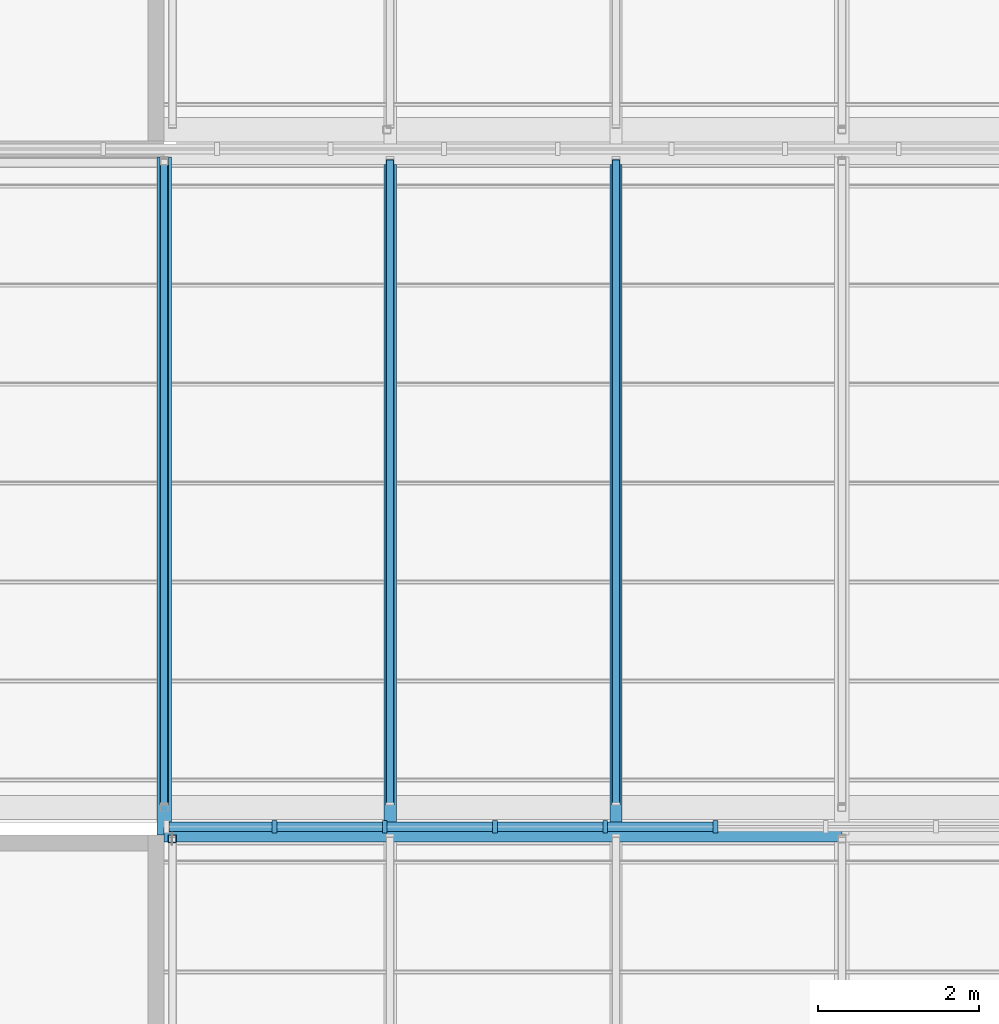
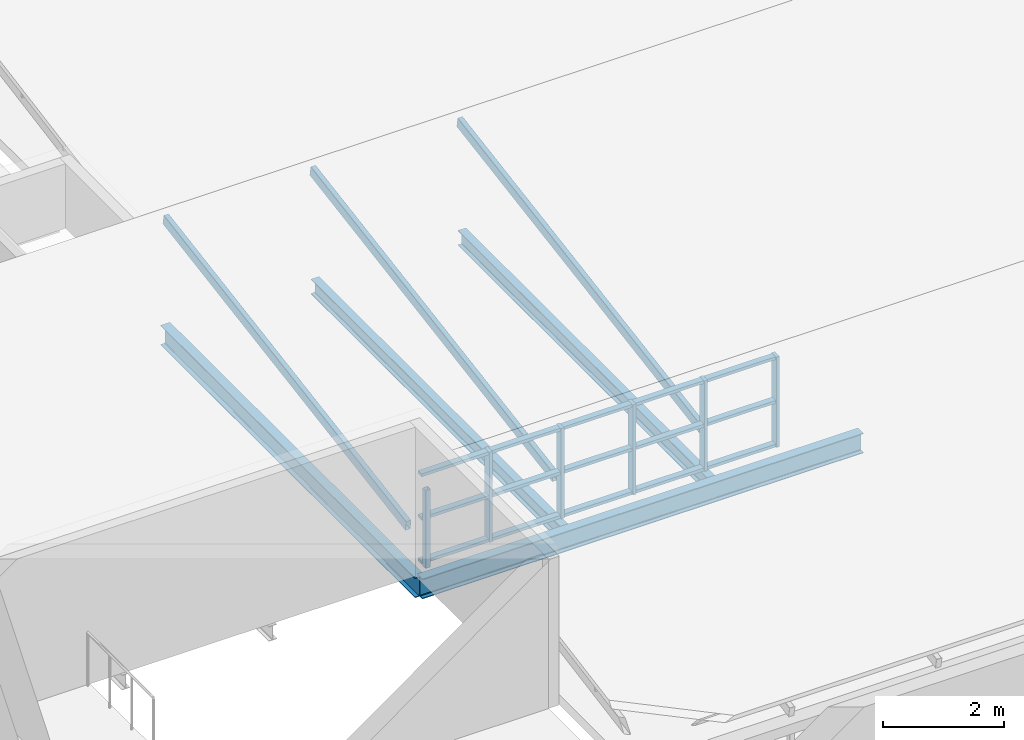
# One storey, part 3 of 42: 24 members, 4 beams, 1 element without a shape of its own.
"""IFC4 building model written with IfcOpenShell, lengths in metres."""

from ifc_helpers import new_model, si_unit, direction, frame, origin, origin_2d, place, context, subcontext, project, spatial, rectangle, hollow_rectangle, i_section, extrude, material, layer, layer_set, material_profile, profile_set, type_object, element, aggregate, save


model = new_model("IFC4")

# Units and contexts
model_context = context("Model", 3, precision=1e-05, world=origin(), true_north=direction((0.0, 1.0)))
body_context = subcontext(model_context, "Body", "Model", "MODEL_VIEW")
ifc_project = project(units=[si_unit("LENGTHUNIT", "METRE"), si_unit("AREAUNIT", "SQUARE_METRE"), si_unit("VOLUMEUNIT", "CUBIC_METRE"), si_unit("PLANEANGLEUNIT", "RADIAN"), si_unit("MASSUNIT", "GRAM", prefix="KILO")], contexts=[model_context])

# Site, building, storey
site_placement = place(None, origin())
site = spatial("IfcSite", under=ifc_project, at=site_placement, CompositionType="ELEMENT")
building_placement = place(site_placement, origin())
building = spatial("IfcBuilding", under=site, at=building_placement, Name="Ardhachandra Cancer Care Centre", CompositionType="ELEMENT")
storey_placement = place(building_placement, frame((0.0, 0.0, 22.5)))
storey = spatial("IfcBuildingStorey", under=building, at=storey_placement, Name="L05", CompositionType="ELEMENT", Elevation=22.5)

# Beams
ifc_material_1 = material(Name="Steel E350 (IS 2062)", Category="steel")
ifc_material_profile_1 = material_profile(ifc_material_1, i_section(OverallWidth=0.152099609375, OverallDepth=0.303955078125, WebThickness=0.008056640625, FlangeThickness=0.0126953125, FilletRadius=0.014892578125, at=origin_2d()), Name="NPB 300x150x49.32")
ifc_profile_set_1 = profile_set([ifc_material_profile_1], Name="Steel E350 (IS 2062)")
beam_type_1 = type_object("IfcBeamType", Name="Beam NPB 300x150x49.32", PredefinedType="BEAM", material=ifc_profile_set_1)
for number, where, z_axis, x_axis, name in (
    (1, (22.0, 79.889892578125, -0.35205078125), (0.0, 1.0, 0.0), (-1.0, 0.0, 0.0), "Secondary J2-K2@2800"),
    (2, (24.800048828125, 79.889892578125, -0.35205078125), (0.0, 1.0, 0.0), (-1.0, 0.0, 0.0), "Secondary J2-K2@5600"),
):
    element("IfcBeam", number, at=place(storey_placement, frame(where, z_axis=z_axis, x_axis=x_axis)), inside=storey, type_object=beam_type_1, Name=name, PredefinedType="BEAM", context=body_context, shape_type="SweptSolid", body=[
        extrude(i_section(OverallWidth=0.152099609375, OverallDepth=0.303955078125, WebThickness=0.008056640625, FlangeThickness=0.0126953125, FilletRadius=0.014892578125, at=origin_2d()), origin(), (0.0, 0.0, 1.0), 8.22021484375),
    ])
ifc_material_2 = material(Name="Steel E350 (IS 2062)", Category="steel")
ifc_material_profile_2 = material_profile(ifc_material_2, i_section(OverallWidth=0.179931640625, OverallDepth=0.39990234375, WebThickness=0.008544921875, FlangeThickness=0.013427734375, FilletRadius=0.02099609375, at=origin_2d()), Name="NPB 400x180x66.30")
ifc_profile_set_2 = profile_set([ifc_material_profile_2], Name="Steel E350 (IS 2062)")
beam_type_2 = type_object("IfcBeamType", Name="Beam NPB 400x180x66.30", PredefinedType="BEAM", material=ifc_profile_set_2)
beam_1_placement = place(storey_placement, frame((19.199951171875, 79.800048828125, -0.39990234375), z_axis=(1.0, 0.0, 0.0), x_axis=(0.0, 1.0, 0.0)))
element("IfcBeam", 3, at=beam_1_placement, inside=storey, type_object=beam_type_2, Name="Girder J2-J3", PredefinedType="BEAM", context=body_context, shape_type="SweptSolid", body=[
    extrude(i_section(OverallWidth=0.179931640625, OverallDepth=0.39990234375, WebThickness=0.008544921875, FlangeThickness=0.013427734375, FilletRadius=0.02099609375, at=origin_2d()), origin(), (0.0, 0.0, 1.0), 8.400146484375),
])
beam_2_placement = place(storey_placement, frame((19.199951171875, 79.800048828125, -0.39990234375), z_axis=(0.0, 1.0, 0.0), x_axis=(-1.0, 0.0, 0.0)))
element("IfcBeam", 4, at=beam_2_placement, inside=storey, type_object=beam_type_2, Name="Girder J2-K2", PredefinedType="BEAM", context=body_context, shape_type="SweptSolid", body=[
    extrude(i_section(OverallWidth=0.179931640625, OverallDepth=0.39990234375, WebThickness=0.008544921875, FlangeThickness=0.013427734375, FilletRadius=0.02099609375, at=origin_2d()), origin(), (0.0, 0.0, 1.0), 8.39990234375),
])

# Curtain wall, members
ifc_material_3 = material(Name="Aluminium extrusion", Category="aluminium")
ifc_layer = layer(ifc_material_3, 0.14990234375)
ifc_layer_set = layer_set([ifc_layer], Name="Aluminium extrusion")
curtain_wall_type = type_object("IfcCurtainWallType", Name="Curtain wall run", PredefinedType="NOTDEFINED", material=ifc_layer_set)
curtain_wall_placement = place(storey_placement, origin())
curtain_wall = element("IfcCurtainWall", 5, at=curtain_wall_placement, inside=storey, type_object=curtain_wall_type, Name="Curtain wall L05 n/0019200_0079900", PredefinedType="NOTDEFINED")
ifc_material_4 = material(Name="Aluminium extrusion", Category="aluminium")
ifc_material_profile_3 = material_profile(ifc_material_4, rectangle(XDim=0.159912109375, YDim=0.06005859375, at=origin_2d()), Name="Curtain wall mullion 60 x 160")
ifc_profile_set_3 = profile_set([ifc_material_profile_3], Name="Aluminium extrusion")
member_type_1 = type_object("IfcMemberType", Name="Curtain wall mullion 60 x 160", PredefinedType="MULLION", material=ifc_profile_set_3)
member_1_placement = place(storey_placement, frame((20.566650390625, 79.89990234375, 0.0), z_axis=(0.0, 0.0, 1.0), x_axis=(0.0, 1.0, 0.0)))
member_1 = element("IfcMember", 6, at=member_1_placement, type_object=member_type_1, Name="CW mullion 2", PredefinedType="MULLION", context=body_context, shape_type="SweptSolid", body=[
    extrude(rectangle(XDim=0.159912109375, YDim=0.06005859375, at=origin_2d()), origin(), (0.0, 0.0, 1.0), 1.820068359375),
])
member_2_placement = place(storey_placement, frame((21.933349609375, 79.89990234375, 0.0), z_axis=(0.0, 0.0, 1.0), x_axis=(0.0, 1.0, 0.0)))
member_2 = element("IfcMember", 7, at=member_2_placement, type_object=member_type_1, Name="CW mullion 3", PredefinedType="MULLION", context=body_context, shape_type="SweptSolid", body=[
    extrude(rectangle(XDim=0.159912109375, YDim=0.06005859375, at=origin_2d()), origin(), (0.0, 0.0, 1.0), 1.820068359375),
])
member_3_placement = place(storey_placement, frame((23.300048828125, 79.89990234375, 0.0), z_axis=(0.0, 0.0, 1.0), x_axis=(0.0, 1.0, 0.0)))
member_3 = element("IfcMember", 8, at=member_3_placement, type_object=member_type_1, Name="CW mullion 4", PredefinedType="MULLION", context=body_context, shape_type="SweptSolid", body=[
    extrude(rectangle(XDim=0.159912109375, YDim=0.06005859375, at=origin_2d()), origin(), (0.0, 0.0, 1.0), 1.820068359375),
])
member_4_placement = place(storey_placement, frame((24.666748046875, 79.89990234375, 0.0), z_axis=(0.0, 0.0, 1.0), x_axis=(0.0, 1.0, 0.0)))
member_4 = element("IfcMember", 9, at=member_4_placement, type_object=member_type_1, Name="CW mullion 5", PredefinedType="MULLION", context=body_context, shape_type="SweptSolid", body=[
    extrude(rectangle(XDim=0.159912109375, YDim=0.06005859375, at=origin_2d()), origin(), (0.0, 0.0, 1.0), 1.820068359375),
])
member_5_placement = place(storey_placement, frame((26.033447265625, 79.89990234375, 0.0), z_axis=(0.0, 0.0, 1.0), x_axis=(0.0, 1.0, 0.0)))
member_5 = element("IfcMember", 10, at=member_5_placement, type_object=member_type_1, Name="CW mullion 6", PredefinedType="MULLION", context=body_context, shape_type="SweptSolid", body=[
    extrude(rectangle(XDim=0.159912109375, YDim=0.06005859375, at=origin_2d()), origin(), (0.0, 0.0, 1.0), 1.820068359375),
])
ifc_material_5 = material(Name="Aluminium extrusion", Category="aluminium")
ifc_material_profile_4 = material_profile(ifc_material_5, rectangle(XDim=0.1201171875, YDim=0.06005859375, at=origin_2d()), Name="Curtain wall transom 60 x 120")
ifc_profile_set_4 = profile_set([ifc_material_profile_4], Name="Aluminium extrusion")
member_type_2 = type_object("IfcMemberType", Name="Curtain wall transom 60 x 120", PredefinedType="USERDEFINED", material=ifc_profile_set_4)
member_6_placement = place(storey_placement, frame((19.260009765625, 79.89990234375, 0.030029296875), z_axis=(1.0, 0.0, 0.0), x_axis=(0.0, 1.0, 0.0)))
member_6 = element("IfcMember", 11, at=member_6_placement, type_object=member_type_2, Name="CW transom 1.1", ObjectType="TRANSOM", PredefinedType="USERDEFINED", context=body_context, shape_type="SweptSolid", body=[
    extrude(rectangle(XDim=0.1201171875, YDim=0.06005859375, at=origin_2d()), origin(), (0.0, 0.0, 1.0), 1.276611328125),
])
member_7_placement = place(storey_placement, frame((19.260009765625, 79.89990234375, 0.909912109375), z_axis=(1.0, 0.0, 0.0), x_axis=(0.0, 1.0, 0.0)))
member_7 = element("IfcMember", 12, at=member_7_placement, type_object=member_type_2, Name="CW transom 1.2", ObjectType="TRANSOM", PredefinedType="USERDEFINED", context=body_context, shape_type="SweptSolid", body=[
    extrude(rectangle(XDim=0.1201171875, YDim=0.06005859375, at=origin_2d()), origin(), (0.0, 0.0, 1.0), 1.276611328125),
])
member_8_placement = place(storey_placement, frame((19.260009765625, 79.89990234375, 1.7900390625), z_axis=(1.0, 0.0, 0.0), x_axis=(0.0, 1.0, 0.0)))
member_8 = element("IfcMember", 13, at=member_8_placement, type_object=member_type_2, Name="CW transom 1.3", ObjectType="TRANSOM", PredefinedType="USERDEFINED", context=body_context, shape_type="SweptSolid", body=[
    extrude(rectangle(XDim=0.1201171875, YDim=0.06005859375, at=origin_2d()), origin(), (0.0, 0.0, 1.0), 1.276611328125),
])
member_9_placement = place(storey_placement, frame((20.5966796875, 79.89990234375, 0.030029296875), z_axis=(1.0, 0.0, 0.0), x_axis=(0.0, 1.0, 0.0)))
member_9 = element("IfcMember", 14, at=member_9_placement, type_object=member_type_2, Name="CW transom 2.1", ObjectType="TRANSOM", PredefinedType="USERDEFINED", context=body_context, shape_type="SweptSolid", body=[
    extrude(rectangle(XDim=0.1201171875, YDim=0.06005859375, at=origin_2d()), origin(), (0.0, 0.0, 1.0), 1.306640625),
])
member_10_placement = place(storey_placement, frame((20.5966796875, 79.89990234375, 0.909912109375), z_axis=(1.0, 0.0, 0.0), x_axis=(0.0, 1.0, 0.0)))
member_10 = element("IfcMember", 15, at=member_10_placement, type_object=member_type_2, Name="CW transom 2.2", ObjectType="TRANSOM", PredefinedType="USERDEFINED", context=body_context, shape_type="SweptSolid", body=[
    extrude(rectangle(XDim=0.1201171875, YDim=0.06005859375, at=origin_2d()), origin(), (0.0, 0.0, 1.0), 1.306640625),
])
member_11_placement = place(storey_placement, frame((20.5966796875, 79.89990234375, 1.7900390625), z_axis=(1.0, 0.0, 0.0), x_axis=(0.0, 1.0, 0.0)))
member_11 = element("IfcMember", 16, at=member_11_placement, type_object=member_type_2, Name="CW transom 2.3", ObjectType="TRANSOM", PredefinedType="USERDEFINED", context=body_context, shape_type="SweptSolid", body=[
    extrude(rectangle(XDim=0.1201171875, YDim=0.06005859375, at=origin_2d()), origin(), (0.0, 0.0, 1.0), 1.306640625),
])
member_12_placement = place(storey_placement, frame((21.96337890625, 79.89990234375, 0.030029296875), z_axis=(1.0, 0.0, 0.0), x_axis=(0.0, 1.0, 0.0)))
member_12 = element("IfcMember", 17, at=member_12_placement, type_object=member_type_2, Name="CW transom 3.1", ObjectType="TRANSOM", PredefinedType="USERDEFINED", context=body_context, shape_type="SweptSolid", body=[
    extrude(rectangle(XDim=0.1201171875, YDim=0.06005859375, at=origin_2d()), origin(), (0.0, 0.0, 1.0), 1.306640625),
])
member_13_placement = place(storey_placement, frame((21.96337890625, 79.89990234375, 0.909912109375), z_axis=(1.0, 0.0, 0.0), x_axis=(0.0, 1.0, 0.0)))
member_13 = element("IfcMember", 18, at=member_13_placement, type_object=member_type_2, Name="CW transom 3.2", ObjectType="TRANSOM", PredefinedType="USERDEFINED", context=body_context, shape_type="SweptSolid", body=[
    extrude(rectangle(XDim=0.1201171875, YDim=0.06005859375, at=origin_2d()), origin(), (0.0, 0.0, 1.0), 1.306640625),
])
member_14_placement = place(storey_placement, frame((21.96337890625, 79.89990234375, 1.7900390625), z_axis=(1.0, 0.0, 0.0), x_axis=(0.0, 1.0, 0.0)))
member_14 = element("IfcMember", 19, at=member_14_placement, type_object=member_type_2, Name="CW transom 3.3", ObjectType="TRANSOM", PredefinedType="USERDEFINED", context=body_context, shape_type="SweptSolid", body=[
    extrude(rectangle(XDim=0.1201171875, YDim=0.06005859375, at=origin_2d()), origin(), (0.0, 0.0, 1.0), 1.306640625),
])
member_15_placement = place(storey_placement, frame((23.330078125, 79.89990234375, 0.030029296875), z_axis=(1.0, 0.0, 0.0), x_axis=(0.0, 1.0, 0.0)))
member_15 = element("IfcMember", 20, at=member_15_placement, type_object=member_type_2, Name="CW transom 4.1", ObjectType="TRANSOM", PredefinedType="USERDEFINED", context=body_context, shape_type="SweptSolid", body=[
    extrude(rectangle(XDim=0.1201171875, YDim=0.06005859375, at=origin_2d()), origin(), (0.0, 0.0, 1.0), 1.306640625),
])
member_16_placement = place(storey_placement, frame((23.330078125, 79.89990234375, 0.909912109375), z_axis=(1.0, 0.0, 0.0), x_axis=(0.0, 1.0, 0.0)))
member_16 = element("IfcMember", 21, at=member_16_placement, type_object=member_type_2, Name="CW transom 4.2", ObjectType="TRANSOM", PredefinedType="USERDEFINED", context=body_context, shape_type="SweptSolid", body=[
    extrude(rectangle(XDim=0.1201171875, YDim=0.06005859375, at=origin_2d()), origin(), (0.0, 0.0, 1.0), 1.306640625),
])
member_17_placement = place(storey_placement, frame((23.330078125, 79.89990234375, 1.7900390625), z_axis=(1.0, 0.0, 0.0), x_axis=(0.0, 1.0, 0.0)))
member_17 = element("IfcMember", 22, at=member_17_placement, type_object=member_type_2, Name="CW transom 4.3", ObjectType="TRANSOM", PredefinedType="USERDEFINED", context=body_context, shape_type="SweptSolid", body=[
    extrude(rectangle(XDim=0.1201171875, YDim=0.06005859375, at=origin_2d()), origin(), (0.0, 0.0, 1.0), 1.306640625),
])
member_18_placement = place(storey_placement, frame((24.69677734375, 79.89990234375, 0.030029296875), z_axis=(1.0, 0.0, 0.0), x_axis=(0.0, 1.0, 0.0)))
member_18 = element("IfcMember", 23, at=member_18_placement, type_object=member_type_2, Name="CW transom 5.1", ObjectType="TRANSOM", PredefinedType="USERDEFINED", context=body_context, shape_type="SweptSolid", body=[
    extrude(rectangle(XDim=0.1201171875, YDim=0.06005859375, at=origin_2d()), origin(), (0.0, 0.0, 1.0), 1.306640625),
])
member_19_placement = place(storey_placement, frame((24.69677734375, 79.89990234375, 0.909912109375), z_axis=(1.0, 0.0, 0.0), x_axis=(0.0, 1.0, 0.0)))
member_19 = element("IfcMember", 24, at=member_19_placement, type_object=member_type_2, Name="CW transom 5.2", ObjectType="TRANSOM", PredefinedType="USERDEFINED", context=body_context, shape_type="SweptSolid", body=[
    extrude(rectangle(XDim=0.1201171875, YDim=0.06005859375, at=origin_2d()), origin(), (0.0, 0.0, 1.0), 1.306640625),
])
member_20_placement = place(storey_placement, frame((24.69677734375, 79.89990234375, 1.7900390625), z_axis=(1.0, 0.0, 0.0), x_axis=(0.0, 1.0, 0.0)))
member_20 = element("IfcMember", 25, at=member_20_placement, type_object=member_type_2, Name="CW transom 5.3", ObjectType="TRANSOM", PredefinedType="USERDEFINED", context=body_context, shape_type="SweptSolid", body=[
    extrude(rectangle(XDim=0.1201171875, YDim=0.06005859375, at=origin_2d()), origin(), (0.0, 0.0, 1.0), 1.306640625),
])
aggregate(curtain_wall, [member_1, member_2, member_3, member_4, member_5, member_6, member_7, member_8, member_9, member_10, member_11, member_12, member_13, member_14, member_15, member_16, member_17, member_18, member_19, member_20])

# Members
ifc_material_6 = material(Name="Steel E350 (IS 2062)", Category="steel")
ifc_material_profile_5 = material_profile(ifc_material_6, hollow_rectangle(XDim=0.10009765625, YDim=0.199951171875, WallThickness=0.006103515625, InnerFilletRadius=0.006103515625, OuterFilletRadius=0.011962890625, at=origin_2d()), Name="RHS 200x100x6.0")
ifc_profile_set_5 = profile_set([ifc_material_profile_5], Name="Steel E350 (IS 2062)")
member_type_3 = type_object("IfcMemberType", Name="Roof rafter RHS 200x100x6.0", PredefinedType="RAFTER", material=ifc_profile_set_5)
for number, where, z_axis, x_axis, name in (
    (26, (19.199951171875, 80.183837890625, 0.5986328125), (0.0, 0.986657936602, 0.162806990454), (-1.0, 0.0, 0.0), "Rafter NT2a.4"),
    (27, (22.0, 80.183837890625, 0.5986328125), (0.0, 0.986657936602, 0.162806990454), (-1.0, 0.0, 0.0), "Rafter NT2a.5"),
    (28, (24.800048828125, 80.183837890625, 0.5986328125), (0.0, 0.986657936602, 0.162806990454), (-1.0, 0.0, 0.0), "Rafter NT2a.6"),
):
    element("IfcMember", number, at=place(storey_placement, frame(where, z_axis=z_axis, x_axis=x_axis)), inside=storey, type_object=member_type_3, Name=name, PredefinedType="RAFTER", context=body_context, shape_type="SweptSolid", body=[
        extrude(hollow_rectangle(XDim=0.10009765625, YDim=0.199951171875, WallThickness=0.006103515625, InnerFilletRadius=0.006103515625, OuterFilletRadius=0.011962890625, at=origin_2d()), origin(), (0.0, 0.0, 1.0), 8.108154296875),
    ])
ifc_material_7 = material(Name="Steel E350 (IS 2062)", Category="steel")
ifc_material_profile_6 = material_profile(ifc_material_7, hollow_rectangle(XDim=0.10009765625, YDim=0.10009765625, WallThickness=0.0048828125, InnerFilletRadius=0.0048828125, OuterFilletRadius=0.010009765625, at=origin_2d()), Name="SHS 100x100x5.0")
ifc_profile_set_6 = profile_set([ifc_material_profile_6], Name="Steel E350 (IS 2062)")
member_type_4 = type_object("IfcMemberType", Name="Sawtooth ridge post SHS 100x100x5.0", PredefinedType="POST", material=ifc_profile_set_6)
member_21_placement = place(storey_placement, frame((19.300048828125, 79.75, 0.0), z_axis=(0.0, 0.0, 1.0), x_axis=(1.0, 0.0, 0.0)))
element("IfcMember", 29, at=member_21_placement, inside=storey, type_object=member_type_4, Name="Ridge post NT1a.1", PredefinedType="POST", context=body_context, shape_type="SweptSolid", body=[
    extrude(hollow_rectangle(XDim=0.10009765625, YDim=0.10009765625, WallThickness=0.0048828125, InnerFilletRadius=0.0048828125, OuterFilletRadius=0.010009765625, at=origin_2d()), origin(), (0.0, 0.0, 1.0), 1.569091796875),
])

save(model, "model.ifc")
